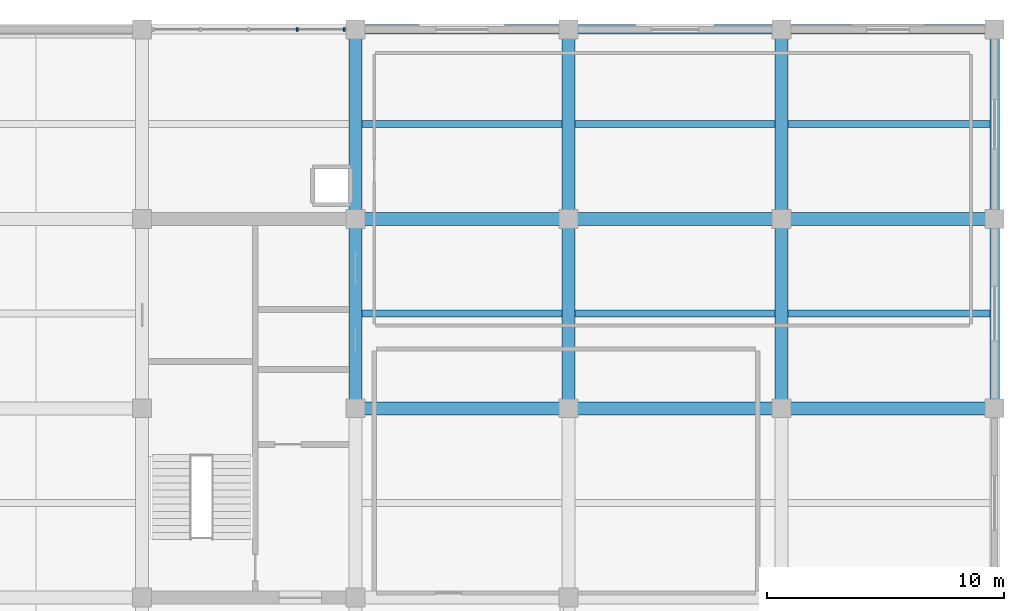
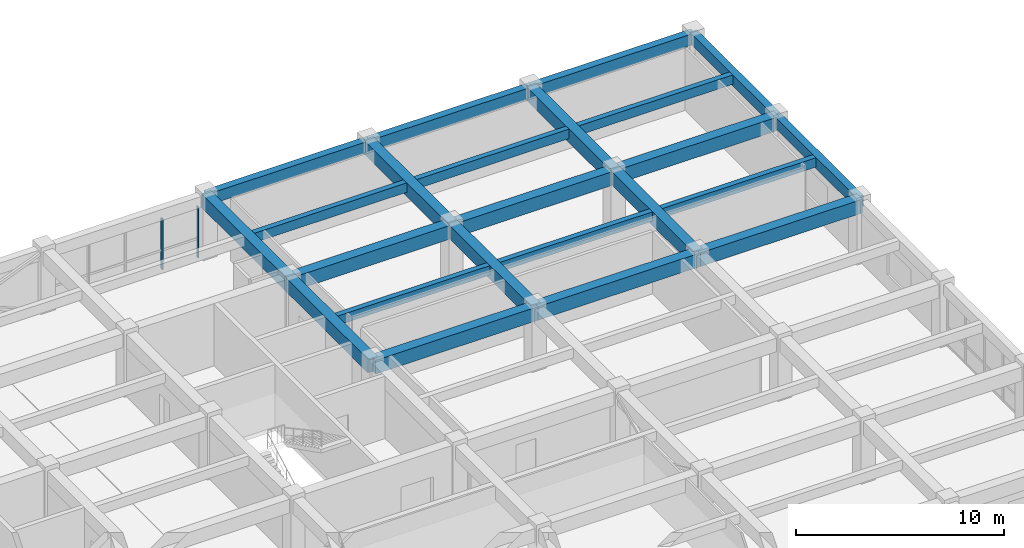
# One storey, part 10 of 17: 23 beams, 2 members, 1 element without a shape of its own.
"""IFC4 building model written with IfcOpenShell, lengths in metres."""

from ifc_helpers import new_model, si_unit, direction, frame, origin, origin_2d, place, context, subcontext, project, spatial, rectangle, extrude, material, material_profile, profile_set, type_object, element, aggregate, save


model = new_model("IFC4")

# Units and contexts
model_context = context("Model", 3, precision=1e-05, world=origin(), true_north=direction((0.0, 1.0)))
body_context = subcontext(model_context, "Body", "Model", "MODEL_VIEW")
ifc_project = project(units=[si_unit("LENGTHUNIT", "METRE"), si_unit("AREAUNIT", "SQUARE_METRE"), si_unit("VOLUMEUNIT", "CUBIC_METRE"), si_unit("PLANEANGLEUNIT", "RADIAN"), si_unit("MASSUNIT", "GRAM", prefix="KILO")], contexts=[model_context])

# Site, building, storey
site_placement = place(None, origin())
site = spatial("IfcSite", under=ifc_project, at=site_placement, CompositionType="ELEMENT")
building_placement = place(site_placement, origin())
building = spatial("IfcBuilding", under=site, at=building_placement, Name="Zaverband Oceanarium and Marine Research Institute", CompositionType="ELEMENT")
storey_placement = place(building_placement, frame((0.0, 0.0, 33.60009765625)))
storey = spatial("IfcBuildingStorey", under=building, at=storey_placement, Name="L08", CompositionType="ELEMENT", Elevation=33.60009765625)

# Beams
ifc_material_1 = material(Name="Concrete C40/50", Category="concrete")
ifc_material_profile_1 = material_profile(ifc_material_1, rectangle(XDim=0.550048828125, YDim=0.800048828125, at=origin_2d()), Name="RC550x800")
ifc_profile_set_1 = profile_set([ifc_material_profile_1], Name="Concrete C40/50")
beam_type_1 = type_object("IfcBeamType", Name="BM-550x800", PredefinedType="BEAM", material=ifc_profile_set_1)
for number, where, z_axis, x_axis, name in (
    (1, (45.0, 96.0, 3.25), (1.0, 0.0, 0.0), (0.0, 1.0, 0.0), "Primary floor girder BM-550x800"),
    (2, (54.0, 96.0, 3.25), (1.0, 0.0, 0.0), (0.0, 1.0, 0.0), "Primary floor girder BM-550x800"),
    (3, (63.0, 96.0, 3.25), (1.0, 0.0, 0.0), (0.0, 1.0, 0.0), "Primary floor girder BM-550x800"),
    (4, (45.0, 104.0, 3.25), (1.0, 0.0, 0.0), (0.0, 1.0, 0.0), "Primary floor girder BM-550x800"),
    (5, (54.0, 104.0, 3.25), (1.0, 0.0, 0.0), (0.0, 1.0, 0.0), "Primary floor girder BM-550x800"),
    (6, (63.0, 104.0, 3.25), (1.0, 0.0, 0.0), (0.0, 1.0, 0.0), "Primary floor girder BM-550x800"),
):
    element("IfcBeam", number, at=place(storey_placement, frame(where, z_axis=z_axis, x_axis=x_axis)), inside=storey, type_object=beam_type_1, Name=name, PredefinedType="BEAM", context=body_context, shape_type="SweptSolid", body=[
        extrude(rectangle(XDim=0.550048828125, YDim=0.800048828125, at=origin_2d()), origin(), (0.0, 0.0, 1.0), 9.0),
    ])
for number, where, z_axis, x_axis, name in (
    (7, (45.0, 96.0, 3.25), (0.0, 1.0, 0.0), (-1.0, 0.0, 0.0), "Primary floor girder BM-550x800"),
    (8, (45.0, 104.0, 3.25), (0.0, 1.0, 0.0), (-1.0, 0.0, 0.0), "Primary floor girder BM-550x800"),
    (9, (54.0, 96.0, 3.25), (0.0, 1.0, 0.0), (-1.0, 0.0, 0.0), "Primary floor girder BM-550x800"),
    (10, (54.0, 104.0, 3.25), (0.0, 1.0, 0.0), (-1.0, 0.0, 0.0), "Primary floor girder BM-550x800"),
    (11, (63.0, 96.0, 3.25), (0.0, 1.0, 0.0), (-1.0, 0.0, 0.0), "Primary floor girder BM-550x800"),
    (12, (63.0, 104.0, 3.25), (0.0, 1.0, 0.0), (-1.0, 0.0, 0.0), "Primary floor girder BM-550x800"),
):
    element("IfcBeam", number, at=place(storey_placement, frame(where, z_axis=z_axis, x_axis=x_axis)), inside=storey, type_object=beam_type_1, Name=name, PredefinedType="BEAM", context=body_context, shape_type="SweptSolid", body=[
        extrude(rectangle(XDim=0.550048828125, YDim=0.800048828125, at=origin_2d()), origin(), (0.0, 0.0, 1.0), 8.0),
    ])
ifc_material_profile_2 = material_profile(ifc_material_1, rectangle(XDim=0.300048828125, YDim=0.550048828125, at=origin_2d()), Name="RC300x550")
ifc_profile_set_2 = profile_set([ifc_material_profile_2], Name="Concrete C40/50")
beam_type_2 = type_object("IfcBeamType", Name="JST-300x550", PredefinedType="JOIST", material=ifc_profile_set_2)
for number, where, z_axis, x_axis, name in (
    (13, (45.27490234375, 100.0, 3.375), (1.0, 0.0, 0.0), (0.0, 1.0, 0.0), "Secondary floor joist JST-300x550"),
    (14, (45.27490234375, 108.0, 3.375), (1.0, 0.0, 0.0), (0.0, 1.0, 0.0), "Secondary floor joist JST-300x550"),
    (15, (54.27490234375, 100.0, 3.375), (1.0, 0.0, 0.0), (0.0, 1.0, 0.0), "Secondary floor joist JST-300x550"),
    (16, (54.27490234375, 108.0, 3.375), (1.0, 0.0, 0.0), (0.0, 1.0, 0.0), "Secondary floor joist JST-300x550"),
):
    element("IfcBeam", number, at=place(storey_placement, frame(where, z_axis=z_axis, x_axis=x_axis)), inside=storey, type_object=beam_type_2, Name=name, PredefinedType="JOIST", context=body_context, shape_type="SweptSolid", body=[
        extrude(rectangle(XDim=0.300048828125, YDim=0.550048828125, at=origin_2d()), origin(), (0.0, 0.0, 1.0), 8.4501953125),
    ])
for number, where, z_axis, x_axis, name in (
    (17, (63.27490234375, 100.0, 3.375), (1.0, 0.0, 0.0), (0.0, 1.0, 0.0), "Secondary floor joist JST-300x550"),
    (18, (63.27490234375, 108.0, 3.375), (1.0, 0.0, 0.0), (0.0, 1.0, 0.0), "Secondary floor joist JST-300x550"),
):
    element("IfcBeam", number, at=place(storey_placement, frame(where, z_axis=z_axis, x_axis=x_axis)), inside=storey, type_object=beam_type_2, Name=name, PredefinedType="JOIST", context=body_context, shape_type="SweptSolid", body=[
        extrude(rectangle(XDim=0.300048828125, YDim=0.550048828125, at=origin_2d()), origin(), (0.0, 0.0, 1.0), 8.525146484375),
    ])

# Curtain wall, members
ifc_material_2 = material(Name="Thermally broken anodized aluminium and solar-control glass", Category="aluminium")
curtain_wall_type = type_object("IfcCurtainWallType", Name="CW-UNIT-1800", PredefinedType="NOTDEFINED", material=ifc_material_2)
curtain_wall_placement = place(storey_placement, origin())
curtain_wall = element("IfcCurtainWall", 19, at=curtain_wall_placement, inside=storey, type_object=curtain_wall_type, Name="Unitised glazed curtain wall CW-099", PredefinedType="NOTDEFINED")
ifc_material_3 = material(Name="Thermally broken anodized aluminium", Category="aluminium")
ifc_material_profile_3 = material_profile(ifc_material_3, rectangle(XDim=0.070068359375, YDim=0.14990234375, at=origin_2d()), Name="AL-MUL-70x150")
ifc_profile_set_3 = profile_set([ifc_material_profile_3], Name="Thermally broken anodized aluminium")
member_type = type_object("IfcMemberType", Name="MUL-70x150", PredefinedType="MULLION", material=ifc_profile_set_3)
member_1_placement = place(storey_placement, frame((42.547607421875, 112.0, 0.0), z_axis=(0.0, 0.0, 1.0), x_axis=(1.0, 0.0, 0.0)))
member_1 = element("IfcMember", 20, at=member_1_placement, type_object=member_type, Name="Curtain wall vertical mullion MUL-70x150", PredefinedType="MULLION", context=body_context, shape_type="SweptSolid", body=[
    extrude(rectangle(XDim=0.070068359375, YDim=0.14990234375, at=origin_2d()), origin(), (0.0, 0.0, 1.0), 2.97998046875),
])
member_2_placement = place(storey_placement, frame((44.534912109375, 112.0, 0.0), z_axis=(0.0, 0.0, 1.0), x_axis=(1.0, 0.0, 0.0)))
member_2 = element("IfcMember", 21, at=member_2_placement, type_object=member_type, Name="Curtain wall vertical mullion MUL-70x150", PredefinedType="MULLION", context=body_context, shape_type="SweptSolid", body=[
    extrude(rectangle(XDim=0.070068359375, YDim=0.14990234375, at=origin_2d()), origin(), (0.0, 0.0, 1.0), 2.97998046875),
])
aggregate(curtain_wall, [member_1, member_2])

# Beams
ifc_material_profile_4 = material_profile(ifc_material_1, rectangle(XDim=0.39990234375, YDim=0.64990234375, at=origin_2d()), Name="RC400x650")
ifc_profile_set_4 = profile_set([ifc_material_profile_4], Name="Concrete C40/50")
beam_type_3 = type_object("IfcBeamType", Name="SPN-400x650", PredefinedType="SPANDREL", material=ifc_profile_set_4)
for number, where, z_axis, x_axis, name in (
    (22, (45.0, 112.0, 3.324951171875), (1.0, 0.0, 0.0), (0.0, 1.0, 0.0), "Perimeter spandrel beam SPN-400x650"),
    (23, (54.0, 112.0, 3.324951171875), (1.0, 0.0, 0.0), (0.0, 1.0, 0.0), "Perimeter spandrel beam SPN-400x650"),
    (24, (63.0, 112.0, 3.324951171875), (1.0, 0.0, 0.0), (0.0, 1.0, 0.0), "Perimeter spandrel beam SPN-400x650"),
):
    element("IfcBeam", number, at=place(storey_placement, frame(where, z_axis=z_axis, x_axis=x_axis)), inside=storey, type_object=beam_type_3, Name=name, PredefinedType="SPANDREL", context=body_context, shape_type="SweptSolid", body=[
        extrude(rectangle(XDim=0.39990234375, YDim=0.64990234375, at=origin_2d()), origin(), (0.0, 0.0, 1.0), 9.0),
    ])
for number, where, z_axis, x_axis, name in (
    (25, (72.0, 96.0, 3.324951171875), (0.0, 1.0, 0.0), (-1.0, 0.0, 0.0), "Perimeter spandrel beam SPN-400x650"),
    (26, (72.0, 104.0, 3.324951171875), (0.0, 1.0, 0.0), (-1.0, 0.0, 0.0), "Perimeter spandrel beam SPN-400x650"),
):
    element("IfcBeam", number, at=place(storey_placement, frame(where, z_axis=z_axis, x_axis=x_axis)), inside=storey, type_object=beam_type_3, Name=name, PredefinedType="SPANDREL", context=body_context, shape_type="SweptSolid", body=[
        extrude(rectangle(XDim=0.39990234375, YDim=0.64990234375, at=origin_2d()), origin(), (0.0, 0.0, 1.0), 8.0),
    ])

save(model, "model.ifc")
